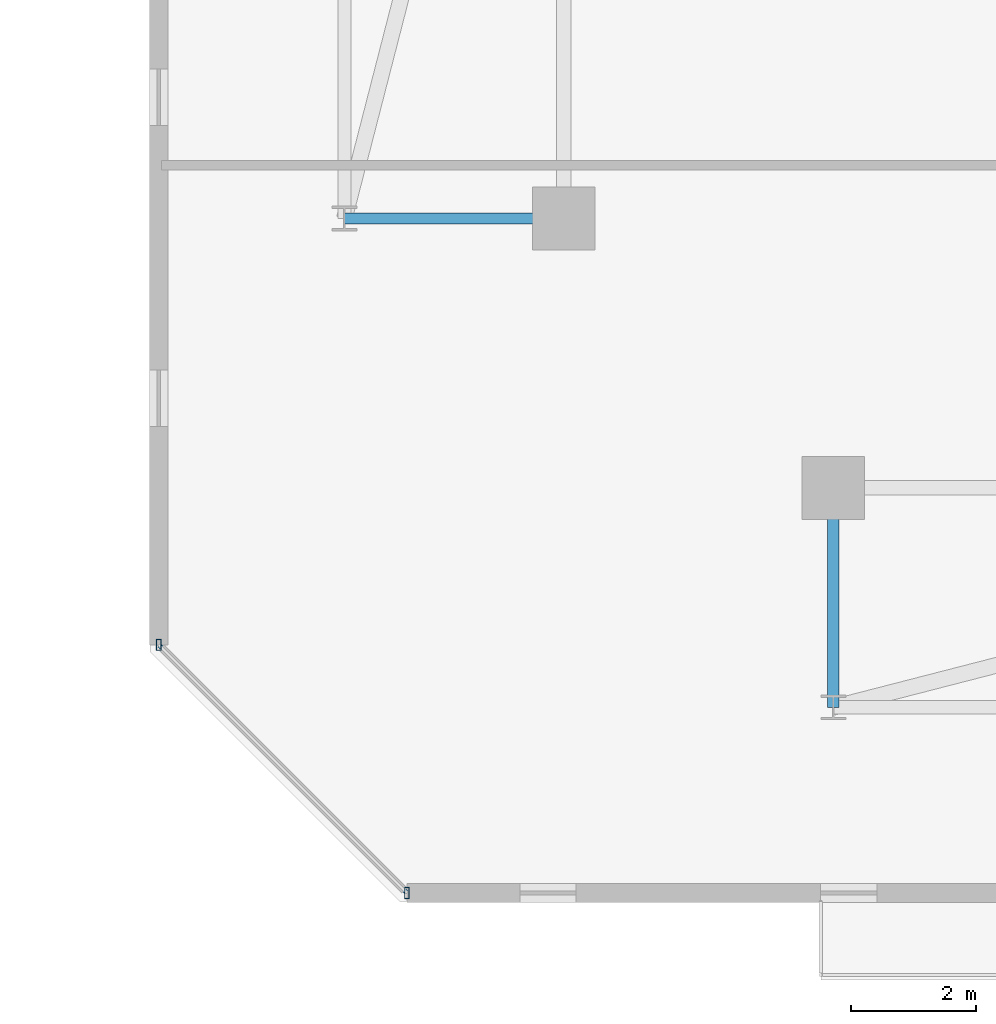
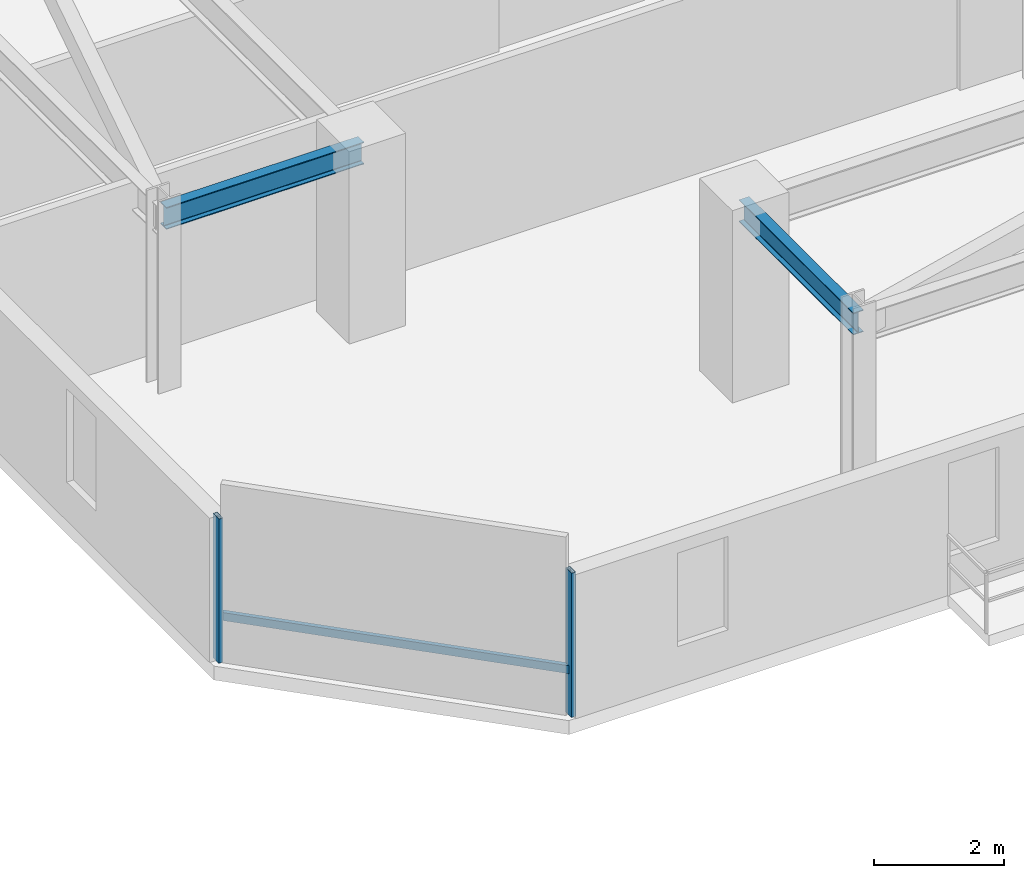
# One storey, part 11 of 33: 3 members, 2 beams, 1 element without a shape of its own.
"""IFC4 building model written with IfcOpenShell, lengths in metres."""

from ifc_helpers import new_model, si_unit, direction, frame, origin, origin_2d, place, context, subcontext, project, spatial, hollow_rectangle, i_section, extrude, material, material_profile, profile_set, type_object, element, aggregate, save


model = new_model("IFC4")

# Units and contexts
model_context = context("Model", 3, precision=1e-05, world=origin(), true_north=direction((0.0, 1.0)))
body_context = subcontext(model_context, "Body", "Model", "MODEL_VIEW")
ifc_project = project(units=[si_unit("LENGTHUNIT", "METRE"), si_unit("AREAUNIT", "SQUARE_METRE"), si_unit("VOLUMEUNIT", "CUBIC_METRE"), si_unit("PLANEANGLEUNIT", "RADIAN"), si_unit("MASSUNIT", "GRAM", prefix="KILO")], contexts=[model_context])

# Site, building, storey
site_placement = place(None, origin())
site = spatial("IfcSite", under=ifc_project, at=site_placement, CompositionType="ELEMENT")
building_placement = place(site_placement, origin())
building = spatial("IfcBuilding", under=site, at=building_placement, Name="Thornwick Lancets Civic Towers", CompositionType="ELEMENT")
storey_placement = place(building_placement, frame((0.0, 0.0, 203.699951171875)))
storey = spatial("IfcBuildingStorey", under=building, at=storey_placement, Name="L54", CompositionType="ELEMENT", Elevation=203.699951171875)

# Beams
ifc_material_1 = material(Name="Steel S355JR", Category="steel")
ifc_material_profile_1 = material_profile(ifc_material_1, i_section(OverallWidth=0.179443359375, OverallDepth=0.412841796875, WebThickness=0.009521484375, FlangeThickness=0.01611328125, FilletRadius=0.01025390625, at=origin_2d()), Name="UKB 406x178x74")
ifc_profile_set_1 = profile_set([ifc_material_profile_1], Name="Steel S355JR")
beam_type = type_object("IfcBeamType", Name="BM_JOIST_406_74", PredefinedType="JOIST", material=ifc_profile_set_1)
for number, where, z_axis, x_axis, name in (
    (1, (71.199951171875, 14.0, 3.153564453125), (-1.0, 0.0, 0.0), (0.0, -1.0, 0.0), "BM-RAD-L54-B07"),
    (2, (75.5, 9.699951171875, 3.153564453125), (0.0, -1.0, 0.0), (1.0, 0.0, 0.0), "BM-RAD-L54-B12"),
):
    element("IfcBeam", number, at=place(storey_placement, frame(where, z_axis=z_axis, x_axis=x_axis)), inside=storey, type_object=beam_type, Name=name, PredefinedType="JOIST", context=body_context, shape_type="SweptSolid", body=[
        extrude(i_section(OverallWidth=0.179443359375, OverallDepth=0.412841796875, WebThickness=0.009521484375, FlangeThickness=0.01611328125, FilletRadius=0.01025390625, at=origin_2d()), origin(), (0.0, 0.0, 1.0), 3.5),
    ])

# Curtain wall, members
ifc_material_2 = material(Name="High-zone chamfered-corner unitised glass curtain wall", Category="glass")
curtain_wall_type = type_object("IfcCurtainWallType", Name="CW_SYS_05", PredefinedType="NOTDEFINED", material=ifc_material_2)
curtain_wall_placement = place(storey_placement, origin())
curtain_wall = element("IfcCurtainWall", 3, at=curtain_wall_placement, inside=storey, type_object=curtain_wall_type, Name="L54 Curtain Wall CW-L54-B-E7", PredefinedType="NOTDEFINED")
ifc_material_3 = material(Name="Thermally broken bronze aluminium S355", Category="steel")
ifc_material_profile_2 = material_profile(ifc_material_3, hollow_rectangle(XDim=0.074951171875, YDim=0.179931640625, WallThickness=0.006103515625, at=origin_2d()), Name="RHS 180x75x6")
ifc_profile_set_2 = profile_set([ifc_material_profile_2], Name="Thermally broken bronze aluminium S355")
member_type_1 = type_object("IfcMemberType", Name="CW_MUL_180", PredefinedType="MULLION", material=ifc_profile_set_2)
member_1_placement = place(storey_placement, frame((64.739990234375, 7.1982421875, 0.0), z_axis=(0.0, 0.0, 1.0), x_axis=(1.0, 0.0, 0.0)))
member_1 = element("IfcMember", 4, at=member_1_placement, type_object=member_type_1, Name="CW-L54-B-E7 Mullion 0", PredefinedType="MULLION", context=body_context, shape_type="SweptSolid", body=[
    extrude(hollow_rectangle(XDim=0.074951171875, YDim=0.179931640625, WallThickness=0.006103515625, at=origin_2d()), origin(), (0.0, 0.0, 1.0), 2.699951171875),
])
member_2_placement = place(storey_placement, frame((68.6982421875, 3.239990234375, 0.0), z_axis=(0.0, 0.0, 1.0), x_axis=(1.0, 0.0, 0.0)))
member_2 = element("IfcMember", 5, at=member_2_placement, type_object=member_type_1, Name="CW-L54-B-E7 Mullion 1", PredefinedType="MULLION", context=body_context, shape_type="SweptSolid", body=[
    extrude(hollow_rectangle(XDim=0.074951171875, YDim=0.179931640625, WallThickness=0.006103515625, at=origin_2d()), origin(), (0.0, 0.0, 1.0), 2.699951171875),
])
ifc_material_profile_3 = material_profile(ifc_material_3, hollow_rectangle(XDim=0.074951171875, YDim=0.14990234375, WallThickness=0.0048828125, at=origin_2d()), Name="RHS 150x75x5")
ifc_profile_set_3 = profile_set([ifc_material_profile_3], Name="Thermally broken bronze aluminium S355")
member_type_2 = type_object("IfcMemberType", Name="CW_TRN_150", PredefinedType="USERDEFINED", material=ifc_profile_set_3)
member_3_placement = place(storey_placement, frame((64.75390625, 7.18408203125, 0.85009765625), z_axis=(0.707106781187, -0.707106781187, 0.0), x_axis=(0.707106781187, 0.707106781187, 0.0)))
member_3 = element("IfcMember", 6, at=member_3_placement, type_object=member_type_2, Name="CW-L54-B-E7 Transom 0", ObjectType="TRANSOM", PredefinedType="USERDEFINED", context=body_context, shape_type="SweptSolid", body=[
    extrude(hollow_rectangle(XDim=0.074951171875, YDim=0.14990234375, WallThickness=0.0048828125, at=origin_2d()), origin(), (0.0, 0.0, 1.0), 5.55810546875),
])
aggregate(curtain_wall, [member_1, member_2, member_3])

save(model, "model.ifc")
